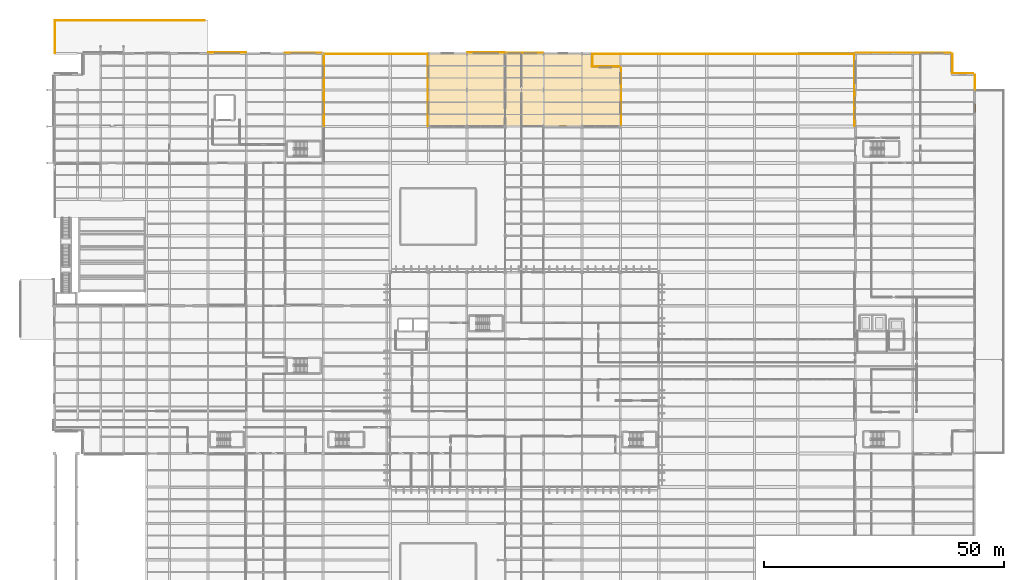
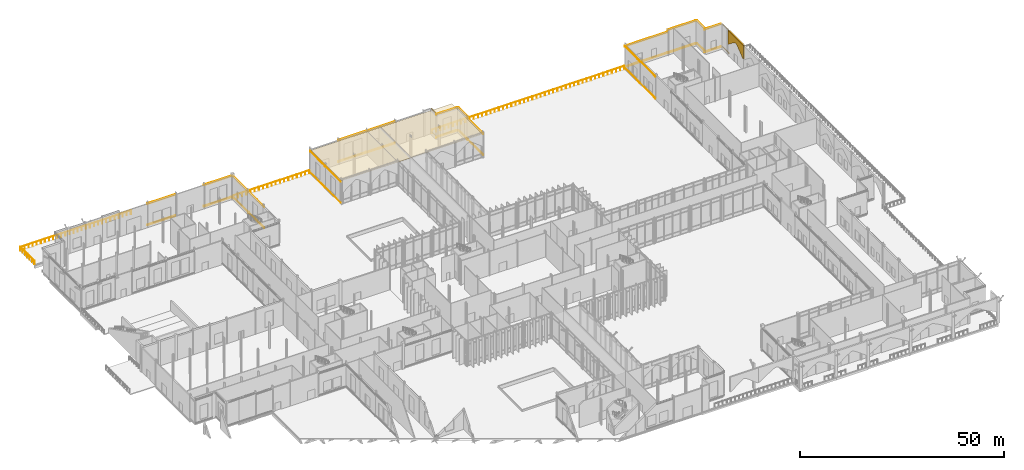
# One storey, part 175 of 176: 40 coverings, 3 railings.
"""IFC4 building model written with IfcOpenShell, lengths in metres."""

from ifc_helpers import new_model, si_unit, direction, frame, origin, origin_2d, place, context, subcontext, project, spatial, polyline, rectangle, circle, outline, extrude, material, layer, layer_set, type_object, element, save


model = new_model("IFC4")

# Units and contexts
model_context = context("Model", 3, precision=1e-05, world=origin(), true_north=direction((0.0, 1.0)))
body_context = subcontext(model_context, "Body", "Model", "MODEL_VIEW")
ifc_project = project(units=[si_unit("LENGTHUNIT", "METRE"), si_unit("AREAUNIT", "SQUARE_METRE"), si_unit("VOLUMEUNIT", "CUBIC_METRE"), si_unit("PLANEANGLEUNIT", "RADIAN"), si_unit("MASSUNIT", "GRAM", prefix="KILO")], contexts=[model_context])

# Site, building, storey
site_placement = place(None, origin())
site = spatial("IfcSite", under=ifc_project, at=site_placement, CompositionType="ELEMENT")
building_placement = place(site_placement, origin())
building = spatial("IfcBuilding", under=site, at=building_placement, Name="Vekula Escarpment Museum", CompositionType="ELEMENT")
storey_placement = place(building_placement, origin())
storey = spatial("IfcBuildingStorey", under=building, at=storey_placement, Name="L01", CompositionType="ELEMENT", Elevation=0.0)

# Coverings
ifc_material_1 = material(Name="Polychrome limestone almasik string-course band", Category="masonry")
ifc_layer_1 = layer(ifc_material_1, 0.06005859375)
ifc_layer_set_1 = layer_set([ifc_layer_1], Name="Polychrome limestone almasik string-course band")
covering_type_1 = type_object("IfcCoveringType", Name="COV-ALM-BAND", PredefinedType="CLADDING", material=ifc_layer_set_1)
for number, where, z_axis, x_axis, name in (
    (1, (191.97607421875, 130.033935546875, 0.41015625), (0.0, 0.0, 1.0), (0.0, 1.0, 0.0), "Almasik Stone String Course L01-0057"),
    (2, (191.97607421875, 130.033935546875, 7.2099609375), (0.0, 0.0, 1.0), (0.0, 1.0, 0.0), "Almasik Stone String Course L01-0058"),
):
    element("IfcCovering", number, at=place(storey_placement, frame(where, z_axis=z_axis, x_axis=x_axis)), inside=storey, type_object=covering_type_1, Name=name, PredefinedType="CLADDING", context=body_context, shape_type="SweptSolid", body=[
        extrude(rectangle(XDim=3.14794921875, YDim=0.06005859375, at=origin_2d()), origin(), (0.0, 0.0, 1.0), 0.219970703125),
    ])
for number, where, z_axis, x_axis, name in (
    (3, (189.366943359375, 131.884033203125, 0.41015625), (0.0, 0.0, 1.0), (1.0, 0.0, 0.0), "Almasik Stone String Course L01-0059"),
    (4, (189.366943359375, 131.884033203125, 7.2099609375), (0.0, 0.0, 1.0), (1.0, 0.0, 0.0), "Almasik Stone String Course L01-0060"),
):
    element("IfcCovering", number, at=place(storey_placement, frame(where, z_axis=z_axis, x_axis=x_axis)), inside=storey, type_object=covering_type_1, Name=name, PredefinedType="CLADDING", context=body_context, shape_type="SweptSolid", body=[
        extrude(rectangle(XDim=4.43798828125, YDim=0.06005859375, at=origin_2d()), origin(), (0.0, 0.0, 1.0), 0.219970703125),
    ])
for number, where, z_axis, x_axis, name in (
    (5, (187.2890625, 133.930908203125, 0.41015625), (0.0, 0.0, 1.0), (0.0, 1.0, 0.0), "Almasik Stone String Course L01-0061"),
    (6, (187.2890625, 133.930908203125, 7.2099609375), (0.0, 0.0, 1.0), (0.0, 1.0, 0.0), "Almasik Stone String Course L01-0062"),
):
    element("IfcCovering", number, at=place(storey_placement, frame(where, z_axis=z_axis, x_axis=x_axis)), inside=storey, type_object=covering_type_1, Name=name, PredefinedType="CLADDING", context=body_context, shape_type="SweptSolid", body=[
        extrude(rectangle(XDim=4.01806640625, YDim=0.06005859375, at=origin_2d()), origin(), (0.0, 0.0, 1.0), 0.219970703125),
    ])
for number, where, z_axis, x_axis, name in (
    (7, (182.95458984375, 136.18603515625, 0.41015625), (0.0, 0.0, 1.0), (1.0, 0.0, 0.0), "Almasik Stone String Course L01-0063"),
    (8, (182.95458984375, 136.18603515625, 7.2099609375), (0.0, 0.0, 1.0), (1.0, 0.0, 0.0), "Almasik Stone String Course L01-0064"),
):
    element("IfcCovering", number, at=place(storey_placement, frame(where, z_axis=z_axis, x_axis=x_axis)), inside=storey, type_object=covering_type_1, Name=name, PredefinedType="CLADDING", context=body_context, shape_type="SweptSolid", body=[
        extrude(rectangle(XDim=7.7890625, YDim=0.06005859375, at=origin_2d()), origin(), (0.0, 0.0, 1.0), 0.219970703125),
    ])
for number, where, z_axis, x_axis, name in (
    (9, (173.0, 136.176025390625, 0.41015625), (0.0, 0.0, 1.0), (1.0, 0.0, 0.0), "Almasik Stone String Course L01-0065"),
    (10, (173.0, 136.176025390625, 6.59521484375), (0.0, 0.0, 1.0), (1.0, 0.0, 0.0), "Almasik Stone String Course L01-0066"),
):
    element("IfcCovering", number, at=place(storey_placement, frame(where, z_axis=z_axis, x_axis=x_axis)), inside=storey, type_object=covering_type_1, Name=name, PredefinedType="CLADDING", context=body_context, shape_type="SweptSolid", body=[
        extrude(rectangle(XDim=11.8798828125, YDim=0.06005859375, at=origin_2d()), origin(), (0.0, 0.0, 1.0), 0.219970703125),
    ])
for number, where, z_axis, x_axis, name in (
    (11, (166.783935546875, 132.123046875, 0.41015625), (0.0, 0.0, 1.0), (0.0, 1.0, 0.0), "Almasik Stone String Course L01-0067"),
    (12, (166.783935546875, 132.123046875, 6.90478515625), (0.0, 0.0, 1.0), (0.0, 1.0, 0.0), "Almasik Stone String Course L01-0068"),
):
    element("IfcCovering", number, at=place(storey_placement, frame(where, z_axis=z_axis, x_axis=x_axis)), inside=storey, type_object=covering_type_1, Name=name, PredefinedType="CLADDING", context=body_context, shape_type="SweptSolid", body=[
        extrude(rectangle(XDim=7.325927734375, YDim=0.06005859375, at=origin_2d()), origin(), (0.0, 0.0, 1.0), 0.219970703125),
    ])
for number, where, z_axis, x_axis, name in (
    (13, (166.799072265625, 124.60009765625, 0.41015625), (0.0, 0.0, 1.0), (0.0, 1.0, 0.0), "Almasik Stone String Course L01-0069"),
    (14, (166.799072265625, 124.60009765625, 6.90478515625), (0.0, 0.0, 1.0), (0.0, 1.0, 0.0), "Almasik Stone String Course L01-0070"),
):
    element("IfcCovering", number, at=place(storey_placement, frame(where, z_axis=z_axis, x_axis=x_axis)), inside=storey, type_object=covering_type_1, Name=name, PredefinedType="CLADDING", context=body_context, shape_type="SweptSolid", body=[
        extrude(rectangle(XDim=7.47998046875, YDim=0.06005859375, at=origin_2d()), origin(), (0.0, 0.0, 1.0), 0.219970703125),
    ])
for number, where, z_axis, x_axis, name in (
    (15, (118.200927734375, 124.689453125, 0.41015625), (0.0, 0.0, 1.0), (0.0, 1.0, 0.0), "Almasik Stone String Course L01-0079"),
    (16, (118.200927734375, 124.689453125, 6.69482421875), (0.0, 0.0, 1.0), (0.0, 1.0, 0.0), "Almasik Stone String Course L01-0080"),
):
    element("IfcCovering", number, at=place(storey_placement, frame(where, z_axis=z_axis, x_axis=x_axis)), inside=storey, type_object=covering_type_1, Name=name, PredefinedType="CLADDING", context=body_context, shape_type="SweptSolid", body=[
        extrude(rectangle(XDim=7.301025390625, YDim=0.06005859375, at=origin_2d()), origin(), (0.0, 0.0, 1.0), 0.219970703125),
    ])
for number, where, z_axis, x_axis, name in (
    (17, (118.18603515625, 130.756103515625, 0.41015625), (0.0, 0.0, 1.0), (0.0, 1.0, 0.0), "Almasik Stone String Course L01-0081"),
    (18, (118.18603515625, 130.756103515625, 7.2099609375), (0.0, 0.0, 1.0), (0.0, 1.0, 0.0), "Almasik Stone String Course L01-0082"),
):
    element("IfcCovering", number, at=place(storey_placement, frame(where, z_axis=z_axis, x_axis=x_axis)), inside=storey, type_object=covering_type_1, Name=name, PredefinedType="CLADDING", context=body_context, shape_type="SweptSolid", body=[
        extrude(rectangle(XDim=4.592041015625, YDim=0.06005859375, at=origin_2d()), origin(), (0.0, 0.0, 1.0), 0.219970703125),
    ])
for number, where, z_axis, x_axis, name in (
    (19, (114.91796875, 133.2880859375, 0.41015625), (0.0, 0.0, 1.0), (1.0, 0.0, 0.0), "Almasik Stone String Course L01-0083"),
    (20, (114.91796875, 133.2880859375, 7.2099609375), (0.0, 0.0, 1.0), (1.0, 0.0, 0.0), "Almasik Stone String Course L01-0084"),
):
    element("IfcCovering", number, at=place(storey_placement, frame(where, z_axis=z_axis, x_axis=x_axis)), inside=storey, type_object=covering_type_1, Name=name, PredefinedType="CLADDING", context=body_context, shape_type="SweptSolid", body=[
        extrude(rectangle(XDim=5.716064453125, YDim=0.06005859375, at=origin_2d()), origin(), (0.0, 0.0, 1.0), 0.219970703125),
    ])
for number, where, z_axis, x_axis, name in (
    (21, (112.216064453125, 134.633056640625, 0.41015625), (0.0, 0.0, 1.0), (0.0, 1.0, 0.0), "Almasik Stone String Course L01-0085"),
    (22, (112.216064453125, 134.633056640625, 7.2099609375), (0.0, 0.0, 1.0), (0.0, 1.0, 0.0), "Almasik Stone String Course L01-0086"),
):
    element("IfcCovering", number, at=place(storey_placement, frame(where, z_axis=z_axis, x_axis=x_axis)), inside=storey, type_object=covering_type_1, Name=name, PredefinedType="CLADDING", context=body_context, shape_type="SweptSolid", body=[
        extrude(rectangle(XDim=2.614013671875, YDim=0.06005859375, at=origin_2d()), origin(), (0.0, 0.0, 1.0), 0.219970703125),
    ])
for number, where, z_axis, x_axis, name in (
    (23, (98.0, 136.176025390625, 0.41015625), (0.0, 0.0, 1.0), (1.0, 0.0, 0.0), "Almasik Stone String Course L01-0087"),
    (24, (98.0, 136.176025390625, 6.80517578125), (0.0, 0.0, 1.0), (1.0, 0.0, 0.0), "Almasik Stone String Course L01-0088"),
    (25, (90.0, 136.216064453125, 0.41015625), (0.0, 0.0, 1.0), (1.0, 0.0, 0.0), "Almasik Stone String Course L01-0089"),
    (26, (90.0, 136.216064453125, 6.80517578125), (0.0, 0.0, 1.0), (1.0, 0.0, 0.0), "Almasik Stone String Course L01-0090"),
):
    element("IfcCovering", number, at=place(storey_placement, frame(where, z_axis=z_axis, x_axis=x_axis)), inside=storey, type_object=covering_type_1, Name=name, PredefinedType="CLADDING", context=body_context, shape_type="SweptSolid", body=[
        extrude(rectangle(XDim=7.8798828125, YDim=0.06005859375, at=origin_2d()), origin(), (0.0, 0.0, 1.0), 0.219970703125),
    ])
for number, where, z_axis, x_axis, name in (
    (27, (77.81396484375, 132.110595703125, 0.41015625), (0.0, 0.0, 1.0), (0.0, 1.0, 0.0), "Almasik Stone String Course L01-0091"),
    (28, (77.81396484375, 132.110595703125, 6.69482421875), (0.0, 0.0, 1.0), (0.0, 1.0, 0.0), "Almasik Stone String Course L01-0092"),
):
    element("IfcCovering", number, at=place(storey_placement, frame(where, z_axis=z_axis, x_axis=x_axis)), inside=storey, type_object=covering_type_1, Name=name, PredefinedType="CLADDING", context=body_context, shape_type="SweptSolid", body=[
        extrude(rectangle(XDim=7.301025390625, YDim=0.06005859375, at=origin_2d()), origin(), (0.0, 0.0, 1.0), 0.219970703125),
    ])
for number, where, z_axis, x_axis, name in (
    (29, (77.823974609375, 124.60009765625, 0.41015625), (0.0, 0.0, 1.0), (0.0, 1.0, 0.0), "Almasik Stone String Course L01-0093"),
    (30, (77.823974609375, 124.60009765625, 6.69482421875), (0.0, 0.0, 1.0), (0.0, 1.0, 0.0), "Almasik Stone String Course L01-0094"),
    (31, (56.216064453125, 124.60009765625, 0.41015625), (0.0, 0.0, 1.0), (0.0, 1.0, 0.0), "Almasik Stone String Course L01-0109"),
    (32, (56.216064453125, 124.60009765625, 6.63525390625), (0.0, 0.0, 1.0), (0.0, 1.0, 0.0), "Almasik Stone String Course L01-0110"),
    (33, (56.200927734375, 132.199951171875, 0.41015625), (0.0, 0.0, 1.0), (0.0, 1.0, 0.0), "Almasik Stone String Course L01-0111"),
    (34, (56.200927734375, 132.199951171875, 6.63525390625), (0.0, 0.0, 1.0), (0.0, 1.0, 0.0), "Almasik Stone String Course L01-0112"),
):
    element("IfcCovering", number, at=place(storey_placement, frame(where, z_axis=z_axis, x_axis=x_axis)), inside=storey, type_object=covering_type_1, Name=name, PredefinedType="CLADDING", context=body_context, shape_type="SweptSolid", body=[
        extrude(rectangle(XDim=7.47998046875, YDim=0.06005859375, at=origin_2d()), origin(), (0.0, 0.0, 1.0), 0.219970703125),
    ])
for number, where, z_axis, x_axis, name in (
    (35, (51.910400390625, 136.18603515625, 0.41015625), (0.0, 0.0, 1.0), (1.0, 0.0, 0.0), "Almasik Stone String Course L01-0113"),
    (36, (51.910400390625, 136.18603515625, 6.7451171875), (0.0, 0.0, 1.0), (1.0, 0.0, 0.0), "Almasik Stone String Course L01-0114"),
):
    element("IfcCovering", number, at=place(storey_placement, frame(where, z_axis=z_axis, x_axis=x_axis)), inside=storey, type_object=covering_type_1, Name=name, PredefinedType="CLADDING", context=body_context, shape_type="SweptSolid", body=[
        extrude(rectangle(XDim=7.700927734375, YDim=0.06005859375, at=origin_2d()), origin(), (0.0, 0.0, 1.0), 0.219970703125),
    ])
for number, where, z_axis, x_axis, name in (
    (37, (36.0, 136.216064453125, 0.41015625), (0.0, 0.0, 1.0), (1.0, 0.0, 0.0), "Almasik Stone String Course L01-0115"),
    (38, (36.0, 136.216064453125, 6.7451171875), (0.0, 0.0, 1.0), (1.0, 0.0, 0.0), "Almasik Stone String Course L01-0116"),
):
    element("IfcCovering", number, at=place(storey_placement, frame(where, z_axis=z_axis, x_axis=x_axis)), inside=storey, type_object=covering_type_1, Name=name, PredefinedType="CLADDING", context=body_context, shape_type="SweptSolid", body=[
        extrude(rectangle(XDim=7.8798828125, YDim=0.06005859375, at=origin_2d()), origin(), (0.0, 0.0, 1.0), 0.219970703125),
    ])
ifc_material_2 = material(Name="Mineral-fibre museum baffle ceiling", Category="gypsum")
ifc_layer_2 = layer(ifc_material_2, 0.070068359375)
ifc_layer_set_2 = layer_set([ifc_layer_2], Name="Mineral-fibre museum baffle ceiling")
covering_type_2 = type_object("IfcCoveringType", Name="COV-CEIL-BAFF", PredefinedType="CEILING", material=ifc_layer_set_2)
covering_1_placement = place(storey_placement, frame((0.0, 0.0, 6.85009765625)))
element("IfcCovering", 39, at=covering_1_placement, inside=storey, type_object=covering_type_2, Name="Acoustic Gallery Ceiling L01-001", PredefinedType="CEILING", context=body_context, shape_type="SweptSolid", body=[
    extrude(outline(polyline([(78.10009765625, 120.89990234375), (117.89990234375, 120.89990234375), (117.89990234375, 135.89990234375), (78.10009765625, 135.89990234375), (78.10009765625, 120.89990234375)])), origin(), (0.0, 0.0, 1.0), 0.0498046875),
])
ifc_material_3 = material(Name="Carved limestone revak pointed-arch cladding", Category="masonry")
ifc_layer_3 = layer(ifc_material_3, 0.3798828125)
ifc_layer_set_3 = layer_set([ifc_layer_3], Name="Carved limestone revak pointed-arch cladding")
covering_type_3 = type_object("IfcCoveringType", Name="COV-REVAK-ARCH", PredefinedType="CLADDING", material=ifc_layer_set_3)
covering_2_placement = place(storey_placement, frame((191.590087890625, 124.60009765625, 3.550048828125), z_axis=(1.0, 0.0, 0.0), x_axis=(0.0, 1.0, 0.0)))
element("IfcCovering", 40, at=covering_2_placement, inside=storey, type_object=covering_type_3, Name="Ottoman Pointed-Arch Revak Spandrel E-CUMB-10", PredefinedType="CLADDING", context=body_context, shape_type="SweptSolid", body=[
    extrude(outline(polyline([(-3.780029296875, 4.0), (3.780029296875, 4.0), (3.780029296875, 0.0), (3.43994140625, 0.0), (2.763916015625, 0.556396484375), (2.113037109375, 1.084716796875), (1.511474609375, 1.55859375), (0.981201171875, 1.95458984375), (0.54248046875, 2.25244140625), (0.211181640625, 2.437255859375), (0.0, 2.5), (-0.211181640625, 2.437255859375), (-0.54248046875, 2.25244140625), (-0.981201171875, 1.95458984375), (-1.511474609375, 1.55859375), (-2.113037109375, 1.084716796875), (-2.763916015625, 0.556396484375), (-3.43994140625, 0.0), (-3.780029296875, 0.0), (-3.780029296875, 4.0)])), origin(), (0.0, 0.0, 1.0), 0.419921875),
])

# Railings
ifc_material_4 = material(Name="Bronze-coated Steel S355 balustrade", Category="steel")
railing_type = type_object("IfcRailingType", Name="RL-TER-GUARD", PredefinedType="GUARDRAIL", material=ifc_material_4)
railing_1_placement = place(storey_placement, frame((0.090087890625, 136.090087890625, 0.0)))
element("IfcRailing", 41, at=railing_1_placement, inside=storey, type_object=railing_type, Name="Terrace Balustrade L01-001", PredefinedType="GUARDRAIL", context=body_context, shape_type="SweptSolid", body=[
    extrude(circle(Radius=0.02392578125, at=origin_2d()), frame((0.0, 0.0, 1.076171875), z_axis=(0.0, 1.0, 0.0), x_axis=(-1.0, 0.0, 0.0)), (0.0, 0.0, 1.0), 6.81982421875),
    extrude(circle(Radius=0.02392578125, at=origin_2d()), frame((0.0, 6.81982421875, 1.076171875), z_axis=(1.0, 0.0, 0.0), x_axis=(0.0, 1.0, 0.0)), (0.0, 0.0, 1.0), 31.2099609375),
    extrude(circle(Radius=0.02099609375, at=origin_2d()), origin(), (0.0, 0.0, 1.0), 1.052001953125),
    extrude(circle(Radius=0.02099609375, at=origin_2d()), frame((0.0, 1.13671875, 0.0)), (0.0, 0.0, 1.0), 1.052001953125),
    extrude(circle(Radius=0.02099609375, at=origin_2d()), frame((0.0, 2.273193359375, 0.0)), (0.0, 0.0, 1.0), 1.052001953125),
    extrude(circle(Radius=0.02099609375, at=origin_2d()), frame((0.0, 3.409912109375, 0.0)), (0.0, 0.0, 1.0), 1.052001953125),
    extrude(circle(Radius=0.02099609375, at=origin_2d()), frame((0.0, 4.546630859375, 0.0)), (0.0, 0.0, 1.0), 1.052001953125),
    extrude(circle(Radius=0.02099609375, at=origin_2d()), frame((0.0, 5.68310546875, 0.0)), (0.0, 0.0, 1.0), 1.052001953125),
    extrude(circle(Radius=0.02099609375, at=origin_2d()), frame((0.0, 6.81982421875, 0.0)), (0.0, 0.0, 1.0), 1.052001953125),
    extrude(circle(Radius=0.02099609375, at=origin_2d()), frame((1.156005859375, 6.81982421875, 0.0)), (0.0, 0.0, 1.0), 1.052001953125),
    extrude(circle(Radius=0.02099609375, at=origin_2d()), frame((2.311767578125, 6.81982421875, 0.0)), (0.0, 0.0, 1.0), 1.052001953125),
    extrude(circle(Radius=0.02099609375, at=origin_2d()), frame((3.4677734375, 6.81982421875, 0.0)), (0.0, 0.0, 1.0), 1.052001953125),
    extrude(circle(Radius=0.02099609375, at=origin_2d()), frame((4.623779296875, 6.81982421875, 0.0)), (0.0, 0.0, 1.0), 1.052001953125),
    extrude(circle(Radius=0.02099609375, at=origin_2d()), frame((5.779541015625, 6.81982421875, 0.0)), (0.0, 0.0, 1.0), 1.052001953125),
    extrude(circle(Radius=0.02099609375, at=origin_2d()), frame((6.935546875, 6.81982421875, 0.0)), (0.0, 0.0, 1.0), 1.052001953125),
    extrude(circle(Radius=0.02099609375, at=origin_2d()), frame((8.091552734375, 6.81982421875, 0.0)), (0.0, 0.0, 1.0), 1.052001953125),
    extrude(circle(Radius=0.02099609375, at=origin_2d()), frame((9.247314453125, 6.81982421875, 0.0)), (0.0, 0.0, 1.0), 1.052001953125),
    extrude(circle(Radius=0.02099609375, at=origin_2d()), frame((10.4033203125, 6.81982421875, 0.0)), (0.0, 0.0, 1.0), 1.052001953125),
    extrude(circle(Radius=0.02099609375, at=origin_2d()), frame((11.559326171875, 6.81982421875, 0.0)), (0.0, 0.0, 1.0), 1.052001953125),
    extrude(circle(Radius=0.02099609375, at=origin_2d()), frame((12.715087890625, 6.81982421875, 0.0)), (0.0, 0.0, 1.0), 1.052001953125),
    extrude(circle(Radius=0.02099609375, at=origin_2d()), frame((13.87109375, 6.81982421875, 0.0)), (0.0, 0.0, 1.0), 1.052001953125),
    extrude(circle(Radius=0.02099609375, at=origin_2d()), frame((15.027099609375, 6.81982421875, 0.0)), (0.0, 0.0, 1.0), 1.052001953125),
    extrude(circle(Radius=0.02099609375, at=origin_2d()), frame((16.182861328125, 6.81982421875, 0.0)), (0.0, 0.0, 1.0), 1.052001953125),
    extrude(circle(Radius=0.02099609375, at=origin_2d()), frame((17.3388671875, 6.81982421875, 0.0)), (0.0, 0.0, 1.0), 1.052001953125),
    extrude(circle(Radius=0.02099609375, at=origin_2d()), frame((18.494873046875, 6.81982421875, 0.0)), (0.0, 0.0, 1.0), 1.052001953125),
    extrude(circle(Radius=0.02099609375, at=origin_2d()), frame((19.650634765625, 6.81982421875, 0.0)), (0.0, 0.0, 1.0), 1.052001953125),
    extrude(circle(Radius=0.02099609375, at=origin_2d()), frame((20.806640625, 6.81982421875, 0.0)), (0.0, 0.0, 1.0), 1.052001953125),
    extrude(circle(Radius=0.02099609375, at=origin_2d()), frame((21.962646484375, 6.81982421875, 0.0)), (0.0, 0.0, 1.0), 1.052001953125),
    extrude(circle(Radius=0.02099609375, at=origin_2d()), frame((23.118408203125, 6.81982421875, 0.0)), (0.0, 0.0, 1.0), 1.052001953125),
    extrude(circle(Radius=0.02099609375, at=origin_2d()), frame((24.2744140625, 6.81982421875, 0.0)), (0.0, 0.0, 1.0), 1.052001953125),
    extrude(circle(Radius=0.02099609375, at=origin_2d()), frame((25.430419921875, 6.81982421875, 0.0)), (0.0, 0.0, 1.0), 1.052001953125),
    extrude(circle(Radius=0.02099609375, at=origin_2d()), frame((26.586181640625, 6.81982421875, 0.0)), (0.0, 0.0, 1.0), 1.052001953125),
    extrude(circle(Radius=0.02099609375, at=origin_2d()), frame((27.7421875, 6.81982421875, 0.0)), (0.0, 0.0, 1.0), 1.052001953125),
    extrude(circle(Radius=0.02099609375, at=origin_2d()), frame((28.898193359375, 6.81982421875, 0.0)), (0.0, 0.0, 1.0), 1.052001953125),
    extrude(circle(Radius=0.02099609375, at=origin_2d()), frame((30.053955078125, 6.81982421875, 0.0)), (0.0, 0.0, 1.0), 1.052001953125),
    extrude(circle(Radius=0.02099609375, at=origin_2d()), frame((31.2099609375, 6.81982421875, 0.0)), (0.0, 0.0, 1.0), 1.052001953125),
])
railing_2_placement = place(storey_placement, frame((56.3349609375, 135.909912109375, 0.0)))
element("IfcRailing", 42, at=railing_2_placement, inside=storey, type_object=railing_type, Name="Terrace Balustrade L01-017", PredefinedType="GUARDRAIL", context=body_context, shape_type="SweptSolid", body=[
    extrude(circle(Radius=0.02392578125, at=origin_2d()), frame((0.0, 0.0, 1.076171875), z_axis=(1.0, 0.0, 0.0), x_axis=(0.0, 1.0, 0.0)), (0.0, 0.0, 1.0), 21.385009765625),
    extrude(circle(Radius=0.02099609375, at=origin_2d()), origin(), (0.0, 0.0, 1.0), 1.052001953125),
    extrude(circle(Radius=0.02099609375, at=origin_2d()), frame((1.18798828125, 0.0, 0.0)), (0.0, 0.0, 1.0), 1.052001953125),
    extrude(circle(Radius=0.02099609375, at=origin_2d()), frame((2.376220703125, 0.0, 0.0)), (0.0, 0.0, 1.0), 1.052001953125),
    extrude(circle(Radius=0.02099609375, at=origin_2d()), frame((3.564208984375, 0.0, 0.0)), (0.0, 0.0, 1.0), 1.052001953125),
    extrude(circle(Radius=0.02099609375, at=origin_2d()), frame((4.752197265625, 0.0, 0.0)), (0.0, 0.0, 1.0), 1.052001953125),
    extrude(circle(Radius=0.02099609375, at=origin_2d()), frame((5.940185546875, 0.0, 0.0)), (0.0, 0.0, 1.0), 1.052001953125),
    extrude(circle(Radius=0.02099609375, at=origin_2d()), frame((7.12841796875, 0.0, 0.0)), (0.0, 0.0, 1.0), 1.052001953125),
    extrude(circle(Radius=0.02099609375, at=origin_2d()), frame((8.31640625, 0.0, 0.0)), (0.0, 0.0, 1.0), 1.052001953125),
    extrude(circle(Radius=0.02099609375, at=origin_2d()), frame((9.50439453125, 0.0, 0.0)), (0.0, 0.0, 1.0), 1.052001953125),
    extrude(circle(Radius=0.02099609375, at=origin_2d()), frame((10.6923828125, 0.0, 0.0)), (0.0, 0.0, 1.0), 1.052001953125),
    extrude(circle(Radius=0.02099609375, at=origin_2d()), frame((11.880615234375, 0.0, 0.0)), (0.0, 0.0, 1.0), 1.052001953125),
    extrude(circle(Radius=0.02099609375, at=origin_2d()), frame((13.068603515625, 0.0, 0.0)), (0.0, 0.0, 1.0), 1.052001953125),
    extrude(circle(Radius=0.02099609375, at=origin_2d()), frame((14.256591796875, 0.0, 0.0)), (0.0, 0.0, 1.0), 1.052001953125),
    extrude(circle(Radius=0.02099609375, at=origin_2d()), frame((15.44482421875, 0.0, 0.0)), (0.0, 0.0, 1.0), 1.052001953125),
    extrude(circle(Radius=0.02099609375, at=origin_2d()), frame((16.6328125, 0.0, 0.0)), (0.0, 0.0, 1.0), 1.052001953125),
    extrude(circle(Radius=0.02099609375, at=origin_2d()), frame((17.82080078125, 0.0, 0.0)), (0.0, 0.0, 1.0), 1.052001953125),
    extrude(circle(Radius=0.02099609375, at=origin_2d()), frame((19.0087890625, 0.0, 0.0)), (0.0, 0.0, 1.0), 1.052001953125),
    extrude(circle(Radius=0.02099609375, at=origin_2d()), frame((20.197021484375, 0.0, 0.0)), (0.0, 0.0, 1.0), 1.052001953125),
    extrude(circle(Radius=0.02099609375, at=origin_2d()), frame((21.385009765625, 0.0, 0.0)), (0.0, 0.0, 1.0), 1.052001953125),
])
railing_3_placement = place(storey_placement, frame((112.35009765625, 135.909912109375, 0.0)))
element("IfcRailing", 43, at=railing_3_placement, inside=storey, type_object=railing_type, Name="Terrace Balustrade L01-019", PredefinedType="GUARDRAIL", context=body_context, shape_type="SweptSolid", body=[
    extrude(circle(Radius=0.02392578125, at=origin_2d()), frame((0.0, 0.0, 1.076171875), z_axis=(1.0, 0.0, 0.0), x_axis=(0.0, 1.0, 0.0)), (0.0, 0.0, 1.0), 54.369873046875),
    extrude(circle(Radius=0.02099609375, at=origin_2d()), origin(), (0.0, 0.0, 1.0), 1.052001953125),
    extrude(circle(Radius=0.02099609375, at=origin_2d()), frame((1.181884765625, 0.0, 0.0)), (0.0, 0.0, 1.0), 1.052001953125),
    extrude(circle(Radius=0.02099609375, at=origin_2d()), frame((2.364013671875, 0.0, 0.0)), (0.0, 0.0, 1.0), 1.052001953125),
    extrude(circle(Radius=0.02099609375, at=origin_2d()), frame((3.5458984375, 0.0, 0.0)), (0.0, 0.0, 1.0), 1.052001953125),
    extrude(circle(Radius=0.02099609375, at=origin_2d()), frame((4.727783203125, 0.0, 0.0)), (0.0, 0.0, 1.0), 1.052001953125),
    extrude(circle(Radius=0.02099609375, at=origin_2d()), frame((5.90966796875, 0.0, 0.0)), (0.0, 0.0, 1.0), 1.052001953125),
    extrude(circle(Radius=0.02099609375, at=origin_2d()), frame((7.091796875, 0.0, 0.0)), (0.0, 0.0, 1.0), 1.052001953125),
    extrude(circle(Radius=0.02099609375, at=origin_2d()), frame((8.273681640625, 0.0, 0.0)), (0.0, 0.0, 1.0), 1.052001953125),
    extrude(circle(Radius=0.02099609375, at=origin_2d()), frame((9.45556640625, 0.0, 0.0)), (0.0, 0.0, 1.0), 1.052001953125),
    extrude(circle(Radius=0.02099609375, at=origin_2d()), frame((10.6376953125, 0.0, 0.0)), (0.0, 0.0, 1.0), 1.052001953125),
    extrude(circle(Radius=0.02099609375, at=origin_2d()), frame((11.819580078125, 0.0, 0.0)), (0.0, 0.0, 1.0), 1.052001953125),
    extrude(circle(Radius=0.02099609375, at=origin_2d()), frame((13.00146484375, 0.0, 0.0)), (0.0, 0.0, 1.0), 1.052001953125),
    extrude(circle(Radius=0.02099609375, at=origin_2d()), frame((14.183349609375, 0.0, 0.0)), (0.0, 0.0, 1.0), 1.052001953125),
    extrude(circle(Radius=0.02099609375, at=origin_2d()), frame((15.365478515625, 0.0, 0.0)), (0.0, 0.0, 1.0), 1.052001953125),
    extrude(circle(Radius=0.02099609375, at=origin_2d()), frame((16.54736328125, 0.0, 0.0)), (0.0, 0.0, 1.0), 1.052001953125),
    extrude(circle(Radius=0.02099609375, at=origin_2d()), frame((17.729248046875, 0.0, 0.0)), (0.0, 0.0, 1.0), 1.052001953125),
    extrude(circle(Radius=0.02099609375, at=origin_2d()), frame((18.911376953125, 0.0, 0.0)), (0.0, 0.0, 1.0), 1.052001953125),
    extrude(circle(Radius=0.02099609375, at=origin_2d()), frame((20.09326171875, 0.0, 0.0)), (0.0, 0.0, 1.0), 1.052001953125),
    extrude(circle(Radius=0.02099609375, at=origin_2d()), frame((21.275146484375, 0.0, 0.0)), (0.0, 0.0, 1.0), 1.052001953125),
    extrude(circle(Radius=0.02099609375, at=origin_2d()), frame((22.45703125, 0.0, 0.0)), (0.0, 0.0, 1.0), 1.052001953125),
    extrude(circle(Radius=0.02099609375, at=origin_2d()), frame((23.63916015625, 0.0, 0.0)), (0.0, 0.0, 1.0), 1.052001953125),
    extrude(circle(Radius=0.02099609375, at=origin_2d()), frame((24.821044921875, 0.0, 0.0)), (0.0, 0.0, 1.0), 1.052001953125),
    extrude(circle(Radius=0.02099609375, at=origin_2d()), frame((26.0029296875, 0.0, 0.0)), (0.0, 0.0, 1.0), 1.052001953125),
    extrude(circle(Radius=0.02099609375, at=origin_2d()), frame((27.18505859375, 0.0, 0.0)), (0.0, 0.0, 1.0), 1.052001953125),
    extrude(circle(Radius=0.02099609375, at=origin_2d()), frame((28.366943359375, 0.0, 0.0)), (0.0, 0.0, 1.0), 1.052001953125),
    extrude(circle(Radius=0.02099609375, at=origin_2d()), frame((29.548828125, 0.0, 0.0)), (0.0, 0.0, 1.0), 1.052001953125),
    extrude(circle(Radius=0.02099609375, at=origin_2d()), frame((30.730712890625, 0.0, 0.0)), (0.0, 0.0, 1.0), 1.052001953125),
    extrude(circle(Radius=0.02099609375, at=origin_2d()), frame((31.912841796875, 0.0, 0.0)), (0.0, 0.0, 1.0), 1.052001953125),
    extrude(circle(Radius=0.02099609375, at=origin_2d()), frame((33.0947265625, 0.0, 0.0)), (0.0, 0.0, 1.0), 1.052001953125),
    extrude(circle(Radius=0.02099609375, at=origin_2d()), frame((34.276611328125, 0.0, 0.0)), (0.0, 0.0, 1.0), 1.052001953125),
    extrude(circle(Radius=0.02099609375, at=origin_2d()), frame((35.45849609375, 0.0, 0.0)), (0.0, 0.0, 1.0), 1.052001953125),
    extrude(circle(Radius=0.02099609375, at=origin_2d()), frame((36.640625, 0.0, 0.0)), (0.0, 0.0, 1.0), 1.052001953125),
    extrude(circle(Radius=0.02099609375, at=origin_2d()), frame((37.822509765625, 0.0, 0.0)), (0.0, 0.0, 1.0), 1.052001953125),
    extrude(circle(Radius=0.02099609375, at=origin_2d()), frame((39.00439453125, 0.0, 0.0)), (0.0, 0.0, 1.0), 1.052001953125),
    extrude(circle(Radius=0.02099609375, at=origin_2d()), frame((40.1865234375, 0.0, 0.0)), (0.0, 0.0, 1.0), 1.052001953125),
    extrude(circle(Radius=0.02099609375, at=origin_2d()), frame((41.368408203125, 0.0, 0.0)), (0.0, 0.0, 1.0), 1.052001953125),
    extrude(circle(Radius=0.02099609375, at=origin_2d()), frame((42.55029296875, 0.0, 0.0)), (0.0, 0.0, 1.0), 1.052001953125),
    extrude(circle(Radius=0.02099609375, at=origin_2d()), frame((43.732177734375, 0.0, 0.0)), (0.0, 0.0, 1.0), 1.052001953125),
    extrude(circle(Radius=0.02099609375, at=origin_2d()), frame((44.914306640625, 0.0, 0.0)), (0.0, 0.0, 1.0), 1.052001953125),
    extrude(circle(Radius=0.02099609375, at=origin_2d()), frame((46.09619140625, 0.0, 0.0)), (0.0, 0.0, 1.0), 1.052001953125),
    extrude(circle(Radius=0.02099609375, at=origin_2d()), frame((47.278076171875, 0.0, 0.0)), (0.0, 0.0, 1.0), 1.052001953125),
    extrude(circle(Radius=0.02099609375, at=origin_2d()), frame((48.460205078125, 0.0, 0.0)), (0.0, 0.0, 1.0), 1.052001953125),
    extrude(circle(Radius=0.02099609375, at=origin_2d()), frame((49.64208984375, 0.0, 0.0)), (0.0, 0.0, 1.0), 1.052001953125),
    extrude(circle(Radius=0.02099609375, at=origin_2d()), frame((50.823974609375, 0.0, 0.0)), (0.0, 0.0, 1.0), 1.052001953125),
    extrude(circle(Radius=0.02099609375, at=origin_2d()), frame((52.005859375, 0.0, 0.0)), (0.0, 0.0, 1.0), 1.052001953125),
    extrude(circle(Radius=0.02099609375, at=origin_2d()), frame((53.18798828125, 0.0, 0.0)), (0.0, 0.0, 1.0), 1.052001953125),
    extrude(circle(Radius=0.02099609375, at=origin_2d()), frame((54.369873046875, 0.0, 0.0)), (0.0, 0.0, 1.0), 1.052001953125),
])

save(model, "model.ifc")
